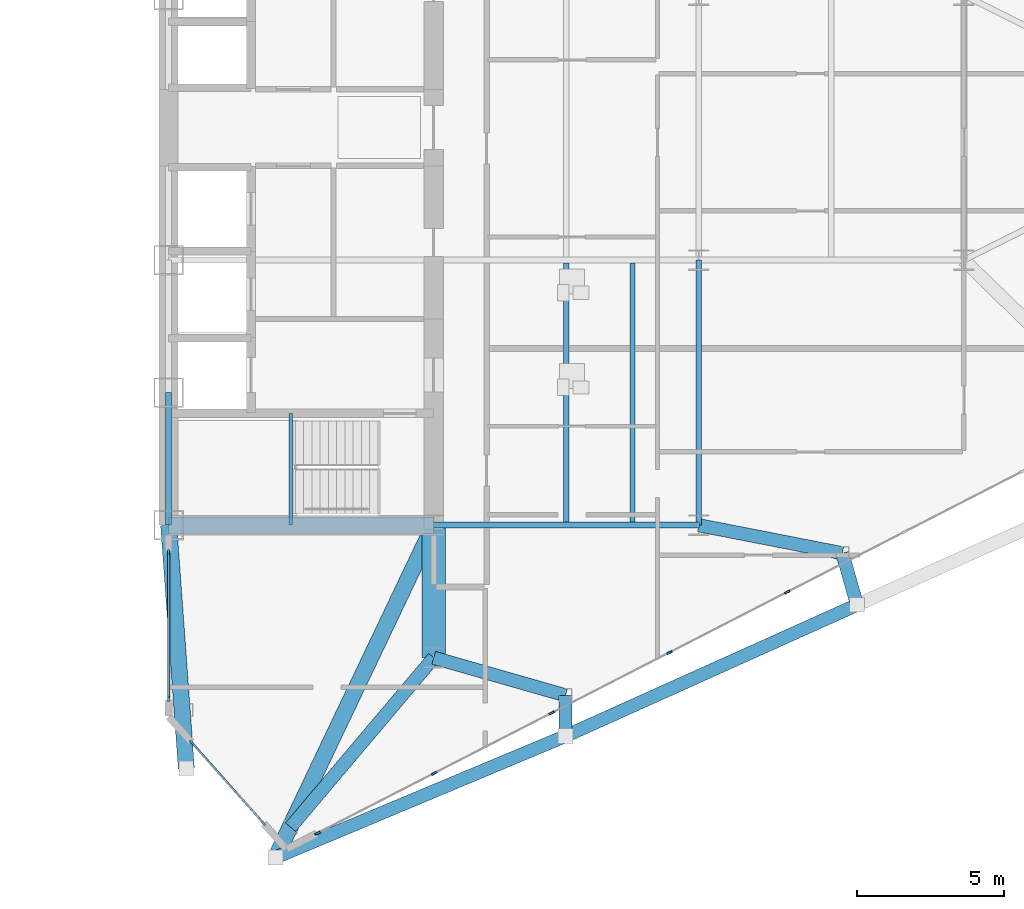
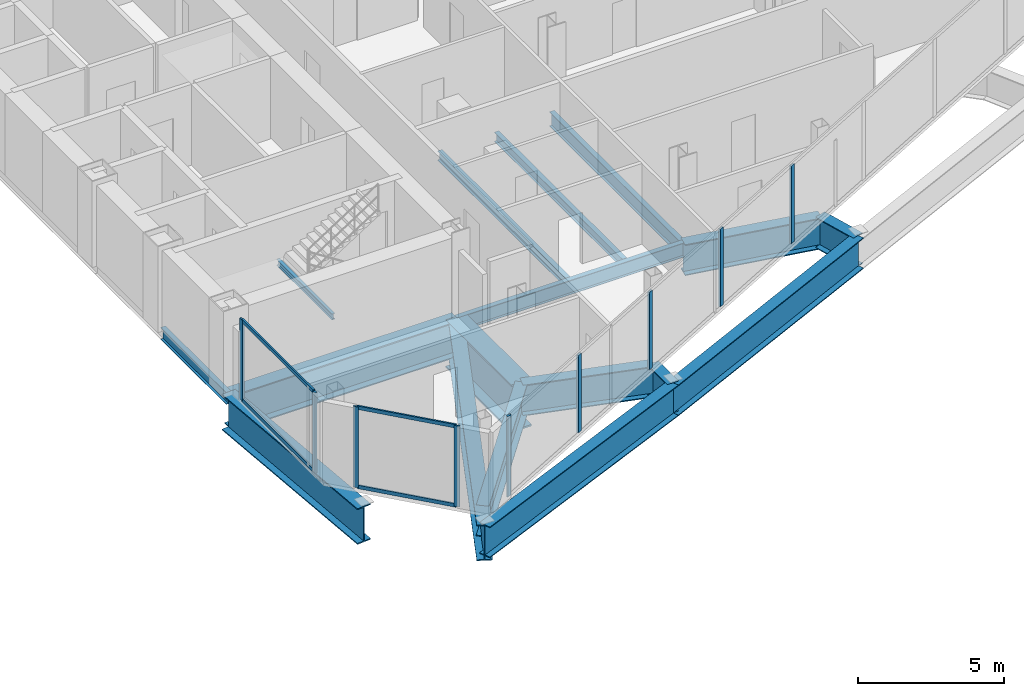
# One storey, part 10 of 28: 17 beams, 13 members, 3 elements without a shape of their own.
"""IFC4 building model written with IfcOpenShell, lengths in metres."""

from ifc_helpers import new_model, si_unit, direction, frame, origin, origin_2d, place, context, subcontext, project, spatial, rectangle, i_section, extrude, source, transform, mapped, material, layer, layer_set, material_profile, profile_set, type_object, type_shapes, element, aggregate, save


model = new_model("IFC4")

# Units and contexts
model_context = context("Model", 3, precision=1e-05, world=origin(), true_north=direction((0.0, 1.0)))
body_context = subcontext(model_context, "Body", "Model", "MODEL_VIEW")
ifc_project = project(units=[si_unit("LENGTHUNIT", "METRE"), si_unit("AREAUNIT", "SQUARE_METRE"), si_unit("VOLUMEUNIT", "CUBIC_METRE"), si_unit("PLANEANGLEUNIT", "RADIAN"), si_unit("MASSUNIT", "GRAM", prefix="KILO")], contexts=[model_context])

# Site, building, storey
site_placement = place(None, origin())
site = spatial("IfcSite", under=ifc_project, at=site_placement, CompositionType="ELEMENT")
building_placement = place(site_placement, origin())
building = spatial("IfcBuilding", under=site, at=building_placement, Name="Seokmaru Belvedere", CompositionType="ELEMENT")
storey_placement = place(building_placement, frame((0.0, 0.0, 110.39990234375)))
storey = spatial("IfcBuildingStorey", under=building, at=storey_placement, Name="L29", CompositionType="ELEMENT", Elevation=110.39990234375)

# Beams
ifc_material_1 = material(Name="Steel SM355 (355 MPa)", Category="steel")
ifc_material_profile_1 = material_profile(ifc_material_1, i_section(OverallWidth=0.199951171875, OverallDepth=0.5, WebThickness=0.010009765625, FlangeThickness=0.01611328125, at=origin_2d()), Name="H-500x200x10x16")
ifc_profile_set_1 = profile_set([ifc_material_profile_1], Name="Steel SM355 (355 MPa)")
beam_type_1 = type_object("IfcBeamType", Name="Perimeter Spandrel Beam H-500", PredefinedType="SPANDREL", material=ifc_profile_set_1)
shared_shape_1 = source(origin(), body_context, "Body", "SweptSolid", [
    extrude(i_section(OverallWidth=0.199951171875, OverallDepth=0.5, WebThickness=0.010009765625, FlangeThickness=0.01611328125, at=origin_2d()), origin(), (0.0, 0.0, 1.0), 4.5),
])
type_shapes(beam_type_1, [shared_shape_1])
beam_1_placement = place(storey_placement, frame((27.5, -13.5, -0.469970703125), z_axis=(0.0, 1.0, 0.0), x_axis=(-1.0, 0.0, 0.0)))
element("IfcBeam", 1, at=beam_1_placement, inside=storey, type_object=beam_type_1, Name="L29 E Portal Spine Spandrel 1", PredefinedType="SPANDREL", context=body_context, shape_type="MappedRepresentation", body=[
    mapped(shared_shape_1, transform((0.0, 0.0, 0.0), scale=1.0)),
])
ifc_material_2 = material(Name="Steel HSA650 (650 MPa)", Category="steel")
ifc_material_profile_2 = material_profile(ifc_material_2, i_section(OverallWidth=0.800048828125, OverallDepth=2.0, WebThickness=0.0400390625, FlangeThickness=0.070068359375, at=origin_2d()), Name="BH-2000x800x40x70")
ifc_profile_set_2 = profile_set([ifc_material_profile_2], Name="Steel HSA650 (650 MPa)")
beam_type_2 = type_object("IfcBeamType", Name="Sky-Gate Transfer Truss Chord Girder BH-2000", PredefinedType="BEAM", material=ifc_profile_set_2)
shared_shape_2 = source(origin(), body_context, "Body", "SweptSolid", [
    extrude(i_section(OverallWidth=0.800048828125, OverallDepth=2.0, WebThickness=0.0400390625, FlangeThickness=0.070068359375, at=origin_2d()), origin(), (0.0, 0.0, 1.0), 4.5),
])
type_shapes(beam_type_2, [shared_shape_2])
beam_2_placement = place(storey_placement, frame((36.5, -18.0, -1.219970703125), z_axis=(0.0, 1.0, 0.0), x_axis=(-1.0, 0.0, 0.0)))
element("IfcBeam", 2, at=beam_2_placement, inside=storey, type_object=beam_type_2, Name="L29 E Core Shoulder Girder S", PredefinedType="BEAM", context=body_context, shape_type="MappedRepresentation", body=[
    mapped(shared_shape_2, transform((0.0, 0.0, 0.0), scale=1.0)),
])
ifc_material_profile_3 = material_profile(ifc_material_2, i_section(OverallWidth=0.550048828125, OverallDepth=1.5, WebThickness=0.028076171875, FlangeThickness=0.044921875, at=origin_2d()), Name="BH-1500x550x28x45")
ifc_profile_set_3 = profile_set([ifc_material_profile_3], Name="Steel HSA650 (650 MPa)")
beam_type_3 = type_object("IfcBeamType", Name="Setback Transfer Girder BH-1500", PredefinedType="BEAM", material=ifc_profile_set_3)
shared_shape_3 = source(origin(), body_context, "Body", "SweptSolid", [
    extrude(i_section(OverallWidth=0.550048828125, OverallDepth=1.5, WebThickness=0.028076171875, FlangeThickness=0.044921875, at=origin_2d()), origin(), (0.0, 0.0, 1.0), 9.0),
])
beam_3_placement = place(storey_placement, frame((27.5, -13.5, -0.969970703125), z_axis=(1.0, 0.0, 0.0), x_axis=(0.0, 1.0, 0.0)))
element("IfcBeam", 3, at=beam_3_placement, inside=storey, type_object=beam_type_3, Name="L29 E Core Transfer Header 1", PredefinedType="BEAM", context=body_context, shape_type="MappedRepresentation", body=[
    mapped(shared_shape_3, transform((0.0, 0.0, 0.0), scale=1.0)),
])
ifc_material_profile_4 = material_profile(ifc_material_1, i_section(OverallWidth=0.199951171875, OverallDepth=0.60009765625, WebThickness=0.010986328125, FlangeThickness=0.01708984375, at=origin_2d()), Name="H-600x200x11x17")
ifc_profile_set_4 = profile_set([ifc_material_profile_4], Name="Steel SM355 (355 MPa)")
beam_type_4 = type_object("IfcBeamType", Name="Primary Floor Girder H-600", PredefinedType="BEAM", material=ifc_profile_set_4)
shared_shape_4 = source(origin(), body_context, "Body", "SweptSolid", [
    extrude(i_section(OverallWidth=0.199951171875, OverallDepth=0.60009765625, WebThickness=0.010986328125, FlangeThickness=0.01708984375, at=origin_2d()), origin(), (0.0, 0.0, 1.0), 9.0),
])
type_shapes(beam_type_4, [shared_shape_4])
for number, where, z_axis, x_axis, name in (
    (4, (45.5, -13.5, -0.52001953125), (0.0, 1.0, 0.0), (-1.0, 0.0, 0.0), "L29 E Interior Grid Girder 1"),
    (5, (36.5, -13.5, -0.52001953125), (1.0, 0.0, 0.0), (0.0, 1.0, 0.0), "L29 E Wing Primary Girder 1"),
):
    element("IfcBeam", number, at=place(storey_placement, frame(where, z_axis=z_axis, x_axis=x_axis)), inside=storey, type_object=beam_type_4, Name=name, PredefinedType="BEAM", context=body_context, shape_type="MappedRepresentation", body=[
        mapped(shared_shape_4, transform((0.0, 0.0, 0.0), scale=1.0)),
    ])
ifc_material_profile_5 = material_profile(ifc_material_1, i_section(OverallWidth=0.18505859375, OverallDepth=0.389892578125, WebThickness=0.008056640625, FlangeThickness=0.011962890625, at=origin_2d()), Name="H-390x185x8x12")
ifc_profile_set_5 = profile_set([ifc_material_profile_5], Name="Steel SM355 (355 MPa)")
beam_type_5 = type_object("IfcBeamType", Name="Secondary Floor Joist H-350", PredefinedType="JOIST", material=ifc_profile_set_5)
shared_shape_5 = source(origin(), body_context, "Body", "SweptSolid", [
    extrude(i_section(OverallWidth=0.18505859375, OverallDepth=0.389892578125, WebThickness=0.008056640625, FlangeThickness=0.011962890625, at=origin_2d()), origin(), (0.0, 0.0, 1.0), 8.7900390625),
])
type_shapes(beam_type_5, [shared_shape_5])
for number, where, z_axis, x_axis, name in (
    (6, (43.25, -13.39501953125, -0.414794921875), (0.0, 1.0, 0.0), (-1.0, 0.0, 0.0), "L29 E Wing Inner Secondary Joist 1"),
    (7, (41.0, -13.39501953125, -0.414794921875), (0.0, 1.0, 0.0), (-1.0, 0.0, 0.0), "L29 E Secondary Floor Joist 1"),
):
    element("IfcBeam", number, at=place(storey_placement, frame(where, z_axis=z_axis, x_axis=x_axis)), inside=storey, type_object=beam_type_5, Name=name, PredefinedType="JOIST", context=body_context, shape_type="MappedRepresentation", body=[
        mapped(shared_shape_5, transform((0.0, 0.0, 0.0), scale=1.0)),
    ])
ifc_material_profile_6 = material_profile(ifc_material_2, i_section(OverallWidth=0.449951171875, OverallDepth=1.300048828125, WebThickness=0.02197265625, FlangeThickness=0.0380859375, at=origin_2d()), Name="BH-1300x450x22x38")
ifc_profile_set_6 = profile_set([ifc_material_profile_6], Name="Steel HSA650 (650 MPa)")
beam_type_6 = type_object("IfcBeamType", Name="Observatory Long-Span Roof Girder BH-1300", PredefinedType="BEAM", material=ifc_profile_set_6)
shared_shape_6 = source(origin(), body_context, "Body", "SweptSolid", [
    extrude(i_section(OverallWidth=0.449951171875, OverallDepth=1.300048828125, WebThickness=0.02197265625, FlangeThickness=0.0380859375, at=origin_2d()), origin(), (0.0, 0.0, 1.0), 10.66943359375),
])
beam_4_placement = place(storey_placement, frame((31.13134765625, -24.782958984375, -0.869873046875), z_axis=(0.922375393128, 0.386294750355, 0.0), x_axis=(-0.386294750355, 0.922375393128, 0.0)))
element("IfcBeam", 8, at=beam_4_placement, inside=storey, type_object=beam_type_6, Name="L29 E Faceted Flank Spandrel S-1", PredefinedType="BEAM", context=body_context, shape_type="MappedRepresentation", body=[
    mapped(shared_shape_6, transform((0.0, 0.0, 0.0), scale=1.0)),
])
shared_shape_7 = source(origin(), body_context, "Body", "SweptSolid", [
    extrude(i_section(OverallWidth=0.449951171875, OverallDepth=1.300048828125, WebThickness=0.02197265625, FlangeThickness=0.0380859375, at=origin_2d()), origin(), (0.0, 0.0, 1.0), 10.85888671875),
])
beam_5_placement = place(storey_placement, frame((40.97265625, -20.661376953125, -0.869873046875), z_axis=(0.911921505175, 0.410364677329, 0.0), x_axis=(-0.410364677329, 0.911921505175, 0.0)))
element("IfcBeam", 9, at=beam_5_placement, inside=storey, type_object=beam_type_6, Name="L29 E Faceted Flank Spandrel S-2", PredefinedType="BEAM", context=body_context, shape_type="MappedRepresentation", body=[
    mapped(shared_shape_7, transform((0.0, 0.0, 0.0), scale=1.0)),
])
shared_shape_8 = source(origin(), body_context, "Body", "SweptSolid", [
    extrude(i_section(OverallWidth=0.550048828125, OverallDepth=1.5, WebThickness=0.028076171875, FlangeThickness=0.044921875, at=origin_2d()), origin(), (0.0, 0.0, 1.0), 8.273193359375),
])
beam_6_placement = place(storey_placement, frame((28.10009765625, -21.75146484375, -0.969970703125), z_axis=(-0.072534628348, 0.99736589459, 0.0), x_axis=(-0.99736589459, -0.072534628348, 0.0)))
element("IfcBeam", 10, at=beam_6_placement, inside=storey, type_object=beam_type_3, Name="L29 E Setback Transfer Girder 6", PredefinedType="BEAM", context=body_context, shape_type="MappedRepresentation", body=[
    mapped(shared_shape_8, transform((0.0, 0.0, 0.0), scale=1.0)),
])
shared_shape_9 = source(origin(), body_context, "Body", "SweptSolid", [
    extrude(i_section(OverallWidth=0.550048828125, OverallDepth=1.5, WebThickness=0.028076171875, FlangeThickness=0.044921875, at=origin_2d()), origin(), (0.0, 0.0, 1.0), 12.4951171875),
])
type_shapes(beam_type_3, [shared_shape_3, shared_shape_8, shared_shape_9])
beam_7_placement = place(storey_placement, frame((31.13134765625, -24.782958984375, -0.969970703125), z_axis=(0.42966052169, 0.90299049613, 0.0), x_axis=(-0.90299049613, 0.42966052169, 0.0)))
element("IfcBeam", 11, at=beam_7_placement, inside=storey, type_object=beam_type_3, Name="L29 E Setback Transfer Girder 1", PredefinedType="BEAM", context=body_context, shape_type="MappedRepresentation", body=[
    mapped(shared_shape_9, transform((0.0, 0.0, 0.0), scale=1.0)),
])
shared_shape_10 = source(origin(), body_context, "Body", "SweptSolid", [
    extrude(i_section(OverallWidth=0.449951171875, OverallDepth=1.300048828125, WebThickness=0.02197265625, FlangeThickness=0.0380859375, at=origin_2d()), origin(), (0.0, 0.0, 1.0), 7.531982421875),
])
beam_8_placement = place(storey_placement, frame((31.6396484375, -23.75390625, -0.869873046875), z_axis=(0.645296861472, 0.763931908337, 0.0), x_axis=(-0.763931908337, 0.645296861472, 0.0)))
element("IfcBeam", 12, at=beam_8_placement, inside=storey, type_object=beam_type_6, Name="L29 E Shoulder Sanity Tie Girder 1", PredefinedType="BEAM", context=body_context, shape_type="MappedRepresentation", body=[
    mapped(shared_shape_10, transform((0.0, 0.0, 0.0), scale=1.0)),
])
shared_shape_11 = source(origin(), body_context, "Body", "SweptSolid", [
    extrude(i_section(OverallWidth=0.449951171875, OverallDepth=1.300048828125, WebThickness=0.02197265625, FlangeThickness=0.0380859375, at=origin_2d()), origin(), (0.0, 0.0, 1.0), 1.3837890625),
])
beam_9_placement = place(storey_placement, frame((40.97265625, -20.661376953125, -0.869873046875), z_axis=(0.002293571949, 0.99999736976, 0.0), x_axis=(-0.99999736976, 0.002293571949, 0.0)))
element("IfcBeam", 13, at=beam_9_placement, inside=storey, type_object=beam_type_6, Name="L29 E Flank Setback Step Girder S-1", PredefinedType="BEAM", context=body_context, shape_type="MappedRepresentation", body=[
    mapped(shared_shape_11, transform((0.0, 0.0, 0.0), scale=1.0)),
])
shared_shape_12 = source(origin(), body_context, "Body", "SweptSolid", [
    extrude(i_section(OverallWidth=0.449951171875, OverallDepth=1.300048828125, WebThickness=0.02197265625, FlangeThickness=0.0380859375, at=origin_2d()), origin(), (0.0, 0.0, 1.0), 4.654541015625),
])
beam_10_placement = place(storey_placement, frame((40.975830078125, -19.277587890625, -0.869873046875), z_axis=(-0.961593192625, 0.274478654721, 0.0), x_axis=(-0.274478654721, -0.961593192625, 0.0)))
element("IfcBeam", 14, at=beam_10_placement, inside=storey, type_object=beam_type_6, Name="L29 E Flank Setback Back-Span Girder S-1", PredefinedType="BEAM", context=body_context, shape_type="MappedRepresentation", body=[
    mapped(shared_shape_12, transform((0.0, 0.0, 0.0), scale=1.0)),
])
shared_shape_13 = source(origin(), body_context, "Body", "SweptSolid", [
    extrude(i_section(OverallWidth=0.449951171875, OverallDepth=1.300048828125, WebThickness=0.02197265625, FlangeThickness=0.0380859375, at=origin_2d()), origin(), (0.0, 0.0, 1.0), 1.8212890625),
])
beam_11_placement = place(storey_placement, frame((50.875, -16.205322265625, -0.869873046875), z_axis=(-0.27332219407, 0.961922542739, 0.0), x_axis=(-0.961922542739, -0.27332219407, 0.0)))
element("IfcBeam", 15, at=beam_11_placement, inside=storey, type_object=beam_type_6, Name="L29 E Flank Setback Step Girder S-2", PredefinedType="BEAM", context=body_context, shape_type="MappedRepresentation", body=[
    mapped(shared_shape_13, transform((0.0, 0.0, 0.0), scale=1.0)),
])
shared_shape_14 = source(origin(), body_context, "Body", "SweptSolid", [
    extrude(i_section(OverallWidth=0.449951171875, OverallDepth=1.300048828125, WebThickness=0.02197265625, FlangeThickness=0.0380859375, at=origin_2d()), origin(), (0.0, 0.0, 1.0), 4.969482421875),
])
type_shapes(beam_type_6, [shared_shape_6, shared_shape_7, shared_shape_10, shared_shape_11, shared_shape_12, shared_shape_13, shared_shape_14])
beam_12_placement = place(storey_placement, frame((50.377197265625, -14.453369140625, -0.869873046875), z_axis=(-0.98142544456, 0.19184393858, 0.0), x_axis=(-0.19184393858, -0.98142544456, 0.0)))
element("IfcBeam", 16, at=beam_12_placement, inside=storey, type_object=beam_type_6, Name="L29 E Flank Setback Back-Span Girder S-2", PredefinedType="BEAM", context=body_context, shape_type="MappedRepresentation", body=[
    mapped(shared_shape_14, transform((0.0, 0.0, 0.0), scale=1.0)),
])

# Curtain wall, member
ifc_material_3 = material(Name="Bronze Triple Insulating Glass", Category="glass")
ifc_layer = layer(ifc_material_3, 0.195068359375)
ifc_layer_set = layer_set([ifc_layer], Name="Bronze Triple Insulating Glass")
curtain_wall_type = type_object("IfcCurtainWallType", Name="Sky-Lobby and Mid-Rise Curtain Wall System CW-4", PredefinedType="NOTDEFINED", material=ifc_layer_set)
curtain_wall_1_placement = place(storey_placement, origin())
curtain_wall_1 = element("IfcCurtainWall", 17, at=curtain_wall_1_placement, inside=storey, type_object=curtain_wall_type, Name="L29 Curtain Wall EF1", PredefinedType="NOTDEFINED")
ifc_material_4 = material(Name="Anodised Bronze Aluminium", Category="aluminium")
ifc_material_profile_7 = material_profile(ifc_material_4, rectangle(XDim=0.070068359375, YDim=0.195068359375, at=origin_2d()), Name="CW-M-70x195")
ifc_profile_set_7 = profile_set([ifc_material_profile_7], Name="Anodised Bronze Aluminium")
member_type_1 = type_object("IfcMemberType", Name="Bronze Unitised Mullion 70x195", PredefinedType="MULLION", material=ifc_profile_set_7)
shared_shape_15 = source(origin(), body_context, "Body", "SweptSolid", [
    extrude(rectangle(XDim=0.070068359375, YDim=0.195068359375, at=origin_2d()), origin(), (0.0, 0.0, 1.0), 3.380126953125),
])
member_1_placement = place(storey_placement, frame((32.55419921875, -23.958984375, 0.0), z_axis=(0.0, 0.0, 1.0), x_axis=(-0.456554528263, 0.889695432562, 0.0)))
member_1 = element("IfcMember", 18, at=member_1_placement, type_object=member_type_1, Name="CW:L29:EF1 Mullion 1", PredefinedType="MULLION", context=body_context, shape_type="MappedRepresentation", body=[
    mapped(shared_shape_15, transform((0.0, 0.0, 0.0), scale=1.0)),
])

# Curtain wall, members
curtain_wall_2_placement = place(storey_placement, origin())
curtain_wall_2 = element("IfcCurtainWall", 19, at=curtain_wall_2_placement, inside=storey, type_object=curtain_wall_type, Name="L29 Curtain Wall ESP_1", PredefinedType="NOTDEFINED")
member_2_placement = place(storey_placement, frame((27.5, -14.4150390625, 0.0), z_axis=(0.0, 0.0, 1.0), x_axis=(1.0, 0.0, 0.0)))
member_2 = element("IfcMember", 20, at=member_2_placement, type_object=member_type_1, Name="CW:L29:ESP_1 Mullion 1", PredefinedType="MULLION", context=body_context, shape_type="MappedRepresentation", body=[
    mapped(shared_shape_15, transform((0.0, 0.0, 0.0), scale=1.0)),
])
member_3_placement = place(storey_placement, frame((27.5, -19.39501953125, 0.0), z_axis=(0.0, 0.0, 1.0), x_axis=(1.0, 0.0, 0.0)))
member_3 = element("IfcMember", 21, at=member_3_placement, type_object=member_type_1, Name="CW:L29:ESP_1 Mullion 2", PredefinedType="MULLION", context=body_context, shape_type="MappedRepresentation", body=[
    mapped(shared_shape_15, transform((0.0, 0.0, 0.0), scale=1.0)),
])

curtain_wall_3_placement = place(storey_placement, origin())
curtain_wall_3 = element("IfcCurtainWall", 22, at=curtain_wall_3_placement, inside=storey, type_object=curtain_wall_type, Name="L29 Curtain Wall EF6", PredefinedType="NOTDEFINED")
member_4_placement = place(storey_placement, frame((28.287353515625, -20.8857421875, 0.0), z_axis=(0.0, 0.0, 1.0), x_axis=(0.747409774804, 0.664363325694, 0.0)))
member_4 = element("IfcMember", 23, at=member_4_placement, type_object=member_type_1, Name="CW:L29:EF6 Mullion 1", PredefinedType="MULLION", context=body_context, shape_type="MappedRepresentation", body=[
    mapped(shared_shape_15, transform((0.0, 0.0, 0.0), scale=1.0)),
])
member_5_placement = place(storey_placement, frame((30.712646484375, -23.6142578125, 0.0), z_axis=(0.0, 0.0, 1.0), x_axis=(0.747409774804, 0.664363325694, 0.0)))
member_5 = element("IfcMember", 24, at=member_5_placement, type_object=member_type_1, Name="CW:L29:EF6 Mullion 2", PredefinedType="MULLION", context=body_context, shape_type="MappedRepresentation", body=[
    mapped(shared_shape_15, transform((0.0, 0.0, 0.0), scale=1.0)),
])

# Member
ifc_material_profile_8 = material_profile(ifc_material_4, rectangle(XDim=0.06494140625, YDim=0.14990234375, at=origin_2d()), Name="CW-T-65x150")
ifc_profile_set_8 = profile_set([ifc_material_profile_8], Name="Anodised Bronze Aluminium")
member_type_2 = type_object("IfcMemberType", Name="Bronze Unitised Transom 65x150", PredefinedType="USERDEFINED", material=ifc_profile_set_8)
shared_shape_16 = source(origin(), body_context, "Body", "SweptSolid", [
    extrude(rectangle(XDim=0.06494140625, YDim=0.14990234375, at=origin_2d()), origin(), (0.0, 0.0, 1.0), 4.91015625),
])
member_6_placement = place(storey_placement, frame((27.5, -14.449951171875, 0.03271484375), z_axis=(0.0, -1.0, 0.0), x_axis=(1.0, 0.0, 0.0)))
member_6 = element("IfcMember", 25, at=member_6_placement, type_object=member_type_2, Name="CW:L29:ESP_1 Continuous Transom 1", ObjectType="TRANSOM", PredefinedType="USERDEFINED", context=body_context, shape_type="MappedRepresentation", body=[
    mapped(shared_shape_16, transform((0.0, 0.0, 0.0), scale=1.0)),
])

member_7_placement = place(storey_placement, frame((27.5, -14.449951171875, 3.34765625), z_axis=(0.0, -1.0, 0.0), x_axis=(1.0, 0.0, 0.0)))
member_7 = element("IfcMember", 26, at=member_7_placement, type_object=member_type_2, Name="CW:L29:ESP_1 Continuous Transom 2", ObjectType="TRANSOM", PredefinedType="USERDEFINED", context=body_context, shape_type="MappedRepresentation", body=[
    mapped(shared_shape_16, transform((0.0, 0.0, 0.0), scale=1.0)),
])

aggregate(curtain_wall_2, [member_2, member_3, member_6, member_7])

shared_shape_17 = source(origin(), body_context, "Body", "SweptSolid", [
    extrude(rectangle(XDim=0.06494140625, YDim=0.14990234375, at=origin_2d()), origin(), (0.0, 0.0, 1.0), 3.580810546875),
])
type_shapes(member_type_2, [shared_shape_16, shared_shape_17])
member_8_placement = place(storey_placement, frame((28.310546875, -20.911865234375, 0.03271484375), z_axis=(0.66436383883, -0.747409318684, 0.0), x_axis=(0.747409318684, 0.66436383883, 0.0)))
member_8 = element("IfcMember", 27, at=member_8_placement, type_object=member_type_2, Name="CW:L29:EF6 Continuous Transom 1", ObjectType="TRANSOM", PredefinedType="USERDEFINED", context=body_context, shape_type="MappedRepresentation", body=[
    mapped(shared_shape_17, transform((0.0, 0.0, 0.0), scale=1.0)),
])

member_9_placement = place(storey_placement, frame((28.310546875, -20.911865234375, 3.34765625), z_axis=(0.66436383883, -0.747409318684, 0.0), x_axis=(0.747409318684, 0.66436383883, 0.0)))
member_9 = element("IfcMember", 28, at=member_9_placement, type_object=member_type_2, Name="CW:L29:EF6 Continuous Transom 2", ObjectType="TRANSOM", PredefinedType="USERDEFINED", context=body_context, shape_type="MappedRepresentation", body=[
    mapped(shared_shape_17, transform((0.0, 0.0, 0.0), scale=1.0)),
])

aggregate(curtain_wall_3, [member_4, member_5, member_8, member_9])

shared_shape_18 = source(origin(), body_context, "Body", "SweptSolid", [
    extrude(rectangle(XDim=0.070068359375, YDim=0.195068359375, at=origin_2d()), origin(), (0.0, 0.0, 1.0), 3.25),
])
type_shapes(member_type_1, [shared_shape_15, shared_shape_18])
member_10_placement = place(storey_placement, frame((36.51806640625, -21.925048828125, 0.065185546875), z_axis=(0.0, 0.0, 1.0), x_axis=(-0.456554528263, 0.889695432562, 0.0)))
member_10 = element("IfcMember", 29, at=member_10_placement, type_object=member_type_1, Name="CW:L29:EF1 Mullion 2", PredefinedType="MULLION", context=body_context, shape_type="MappedRepresentation", body=[
    mapped(shared_shape_18, transform((0.0, 0.0, 0.0), scale=1.0)),
])

member_11_placement = place(storey_placement, frame((40.5126953125, -19.875, 0.065185546875), z_axis=(0.0, 0.0, 1.0), x_axis=(-0.456554528263, 0.889695432562, 0.0)))
member_11 = element("IfcMember", 30, at=member_11_placement, type_object=member_type_1, Name="CW:L29:EF1 Mullion 3", PredefinedType="MULLION", context=body_context, shape_type="MappedRepresentation", body=[
    mapped(shared_shape_18, transform((0.0, 0.0, 0.0), scale=1.0)),
])

member_12_placement = place(storey_placement, frame((44.5078125, -17.824951171875, 0.065185546875), z_axis=(0.0, 0.0, 1.0), x_axis=(-0.456554528263, 0.889695432562, 0.0)))
member_12 = element("IfcMember", 31, at=member_12_placement, type_object=member_type_1, Name="CW:L29:EF1 Mullion 4", PredefinedType="MULLION", context=body_context, shape_type="MappedRepresentation", body=[
    mapped(shared_shape_18, transform((0.0, 0.0, 0.0), scale=1.0)),
])

member_13_placement = place(storey_placement, frame((48.502685546875, -15.77490234375, 0.065185546875), z_axis=(0.0, 0.0, 1.0), x_axis=(-0.456554528263, 0.889695432562, 0.0)))
member_13 = element("IfcMember", 32, at=member_13_placement, type_object=member_type_1, Name="CW:L29:EF1 Mullion 5", PredefinedType="MULLION", context=body_context, shape_type="MappedRepresentation", body=[
    mapped(shared_shape_18, transform((0.0, 0.0, 0.0), scale=1.0)),
])

aggregate(curtain_wall_1, [member_1, member_10, member_11, member_12, member_13])

# Beam
ifc_material_profile_9 = material_profile(ifc_material_1, i_section(OverallWidth=0.125, OverallDepth=0.25, WebThickness=0.006103515625, FlangeThickness=0.009033203125, at=origin_2d()), Name="H-250x125x6x9")
ifc_profile_set_9 = profile_set([ifc_material_profile_9], Name="Steel SM355 (355 MPa)")
beam_type_7 = type_object("IfcBeamType", Name="Stair Mid-Landing Support Beam H-250", PredefinedType="JOIST", material=ifc_profile_set_9)
shared_shape_19 = source(origin(), body_context, "Body", "SweptSolid", [
    extrude(i_section(OverallWidth=0.125, OverallDepth=0.25, WebThickness=0.006103515625, FlangeThickness=0.009033203125, at=origin_2d()), origin(), (0.0, 0.0, 1.0), 3.800048828125),
])
type_shapes(beam_type_7, [shared_shape_19])
beam_13_placement = place(storey_placement, frame((31.64990234375, -13.5, 1.47509765625), z_axis=(0.0, 1.0, 0.0), x_axis=(-1.0, 0.0, 0.0)))
element("IfcBeam", 33, at=beam_13_placement, inside=storey, type_object=beam_type_7, Name="L29 Stair ST-E1 Mid-Landing Support Beam 1", PredefinedType="JOIST", context=body_context, shape_type="MappedRepresentation", body=[
    mapped(shared_shape_19, transform((0.0, 0.0, 0.0), scale=1.0)),
])

save(model, "model.ifc")
